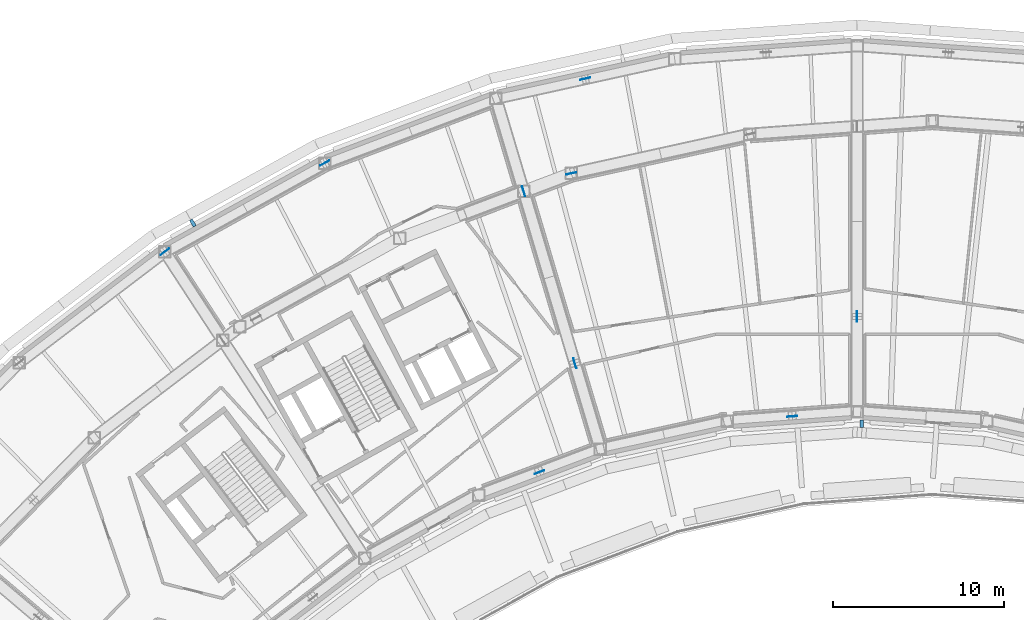
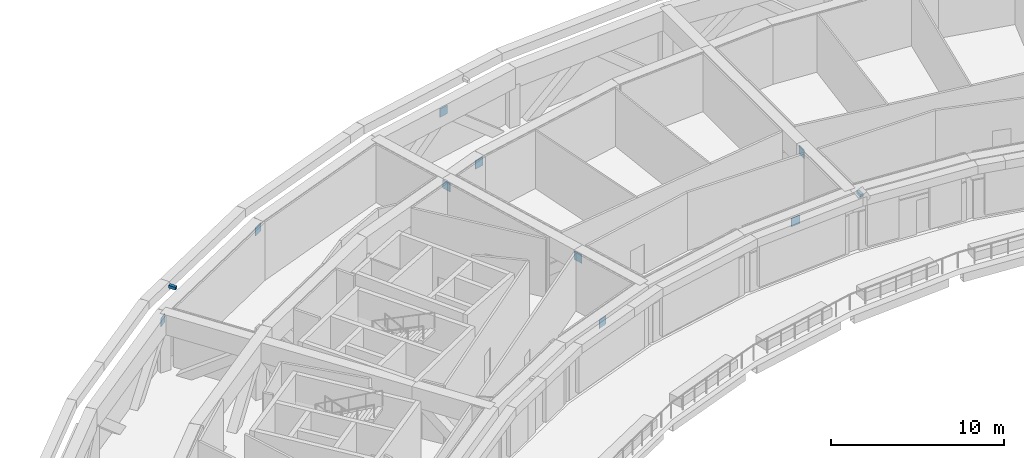
# One storey, part 17 of 26: 11 discrete accessories.
"""IFC4 building model written with IfcOpenShell, lengths in metres."""

from ifc_helpers import new_model, si_unit, direction, frame, origin, origin_2d, place, context, subcontext, project, spatial, rectangle, extrude, material, type_object, element, save


model = new_model("IFC4")

# Units and contexts
model_context = context("Model", 3, precision=1e-05, world=origin(), true_north=direction((0.0, 1.0)))
body_context = subcontext(model_context, "Body", "Model", "MODEL_VIEW")
ifc_project = project(units=[si_unit("LENGTHUNIT", "METRE"), si_unit("AREAUNIT", "SQUARE_METRE"), si_unit("VOLUMEUNIT", "CUBIC_METRE"), si_unit("PLANEANGLEUNIT", "RADIAN"), si_unit("MASSUNIT", "GRAM", prefix="KILO")], contexts=[model_context])

# Site, building, storey
site_placement = place(None, origin())
site = spatial("IfcSite", under=ifc_project, at=site_placement, CompositionType="ELEMENT")
building_placement = place(site_placement, origin())
building = spatial("IfcBuilding", under=site, at=building_placement, Name="Tuul Gate Civic Tower", CompositionType="ELEMENT")
storey_placement = place(building_placement, frame((0.0, 0.0, 167.60009765625)))
storey = spatial("IfcBuildingStorey", under=building, at=storey_placement, Name="Plant and refuge floor 5", CompositionType="ELEMENT", Elevation=167.60009765625)

# Discrete accessories
ifc_material_1 = material(Name="Steel S355", Category="steel")
discrete_accessory_type_1 = type_object("IfcDiscreteAccessoryType", Name="Gusset plate", PredefinedType="BRACKET", material=ifc_material_1)
for number, where, z_axis, x_axis, name in (
    (1, (-18.470947265625, 5.115234375, 3.10302734375), (0.0, 0.0, 1.0), (-0.285212112775, 0.958464423297, 0.0), "Gusset plate"),
    (2, (-15.487548828125, -4.91015625, 3.10302734375), (0.0, 0.0, 1.0), (-0.285212112775, 0.958464423297, 0.0), "Gusset plate"),
    (3, (0.989990234375, -2.188720703125, 3.10302734375), (0.0, 0.0, 1.0), (0.0, 1.0, 0.0), "Gusset plate"),
    (4, (-15.70361328125, 6.162109375, 3.103515625), (0.0, 0.0, 1.0), (0.976568946286, 0.215204770275, 0.0), "Gusset plate"),
    (5, (-39.412109375, 1.59326171875, 3.10302734375), (0.0, 0.0, 1.0), (-0.795663839612, -0.605738437227, 0.0), "Gusset plate"),
    (6, (-14.87353515625, 11.695068359375, 3.10302734375), (0.0, 0.0, 1.0), (0.976564607871, 0.215224456448, 0.0), "Gusset plate"),
    (7, (-30.07421875, 6.770263671875, 3.10302734375), (0.0, 0.0, 1.0), (-0.874585469632, -0.484871381202, 0.0), "Gusset plate"),
    (8, (-2.7958984375, -8.014404296875, 3.103759765625), (0.0, 0.0, 1.0), (-0.997381904937, -0.07231414595, 0.0), "Gusset plate"),
    (9, (-17.54638671875, -11.265380859375, 3.103759765625), (0.0, 0.0, 1.0), (-0.935367540469, -0.353677203444, 0.0), "Gusset plate"),
):
    element("IfcDiscreteAccessory", number, at=place(storey_placement, frame(where, z_axis=z_axis, x_axis=x_axis)), inside=storey, type_object=discrete_accessory_type_1, Name=name, PredefinedType="BRACKET", context=body_context, shape_type="SweptSolid", body=[
        extrude(rectangle(XDim=0.60009765625, YDim=0.030029296875, at=origin_2d()), origin(), (0.0, 0.0, 1.0), 0.60009765625),
    ])
ifc_material_2 = material(Name="Stainless steel", Category="steel")
discrete_accessory_type_2 = type_object("IfcDiscreteAccessoryType", Name="Screen bracket", PredefinedType="BRACKET", material=ifc_material_2)
discrete_accessory_1_placement = place(storey_placement, frame((-37.7763671875, 3.271728515625, 4.0498046875), z_axis=(0.0, 0.0, 1.0), x_axis=(-0.520742945255, 0.853713526288, 0.0)))
element("IfcDiscreteAccessory", 10, at=discrete_accessory_1_placement, inside=storey, type_object=discrete_accessory_type_2, Name="Screen bracket 13", PredefinedType="BRACKET", context=body_context, shape_type="SweptSolid", body=[
    extrude(rectangle(XDim=0.450439453125, YDim=0.199951171875, at=origin_2d()), origin(), (0.0, 0.0, 1.0), 0.199951171875),
])
discrete_accessory_2_placement = place(storey_placement, frame((1.254638671875, -8.435791015625, 4.0498046875), z_axis=(0.0, 0.0, 1.0), x_axis=(-0.005105065887, -0.999986969066, 0.0)))
element("IfcDiscreteAccessory", 11, at=discrete_accessory_2_placement, inside=storey, type_object=discrete_accessory_type_2, Name="Screen bracket 25", PredefinedType="BRACKET", context=body_context, shape_type="SweptSolid", body=[
    extrude(rectangle(XDim=0.450927734375, YDim=0.199951171875, at=origin_2d()), origin(), (0.0, 0.0, 1.0), 0.199951171875),
])

save(model, "model.ifc")
